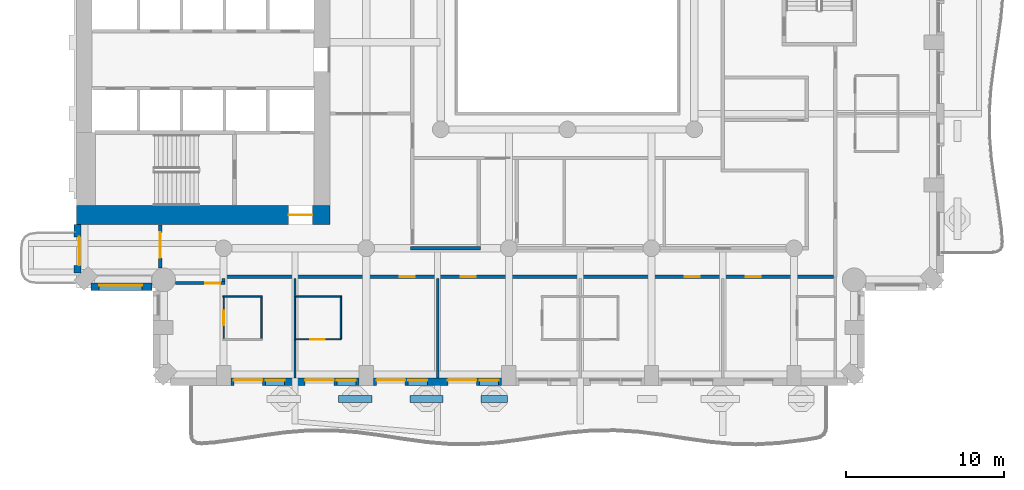
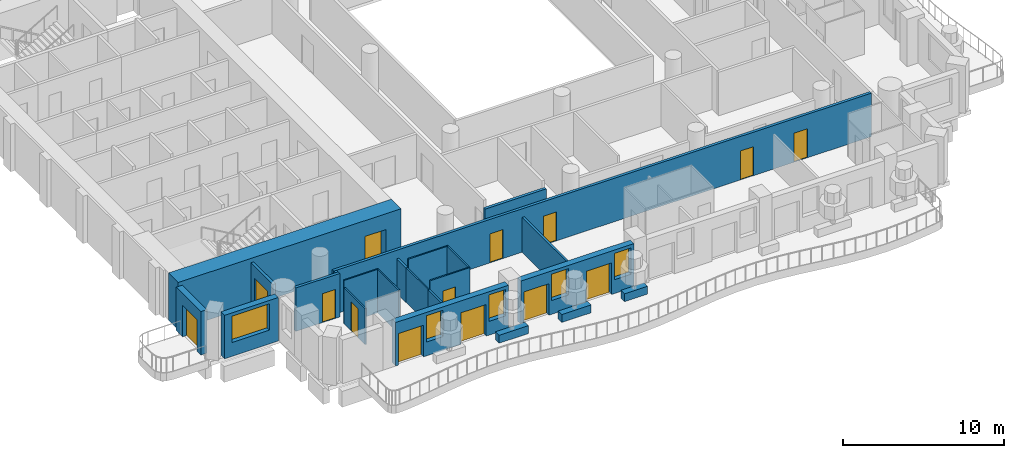
# One storey, part 3 of 20: 23 walls, 14 doors, 5 windows, 19 openings.
"""IFC4 building model written with IfcOpenShell, lengths in metres."""

from ifc_helpers import new_model, si_unit, direction, frame, frame_2d, origin, place, context, subcontext, project, spatial, rectangle, extrude, material, layer, layer_set, type_object, element, fill, save


model = new_model("IFC4")

# Units and contexts
model_context = context("Model", 3, precision=1e-05, world=origin(), true_north=direction((0.0, 1.0)))
body_context = subcontext(model_context, "Body", "Model", "MODEL_VIEW")
ifc_project = project(units=[si_unit("LENGTHUNIT", "METRE"), si_unit("AREAUNIT", "SQUARE_METRE"), si_unit("VOLUMEUNIT", "CUBIC_METRE"), si_unit("PLANEANGLEUNIT", "RADIAN"), si_unit("MASSUNIT", "GRAM", prefix="KILO")], contexts=[model_context])

# Site, building, storey
site_placement = place(None, origin())
site = spatial("IfcSite", under=ifc_project, at=site_placement, CompositionType="ELEMENT")
building_placement = place(site_placement, origin())
building = spatial("IfcBuilding", under=site, at=building_placement, Name="Cypress Arch Tower", CompositionType="ELEMENT")
storey_placement = place(building_placement, frame((0.0, 0.0, 120.300048828125)))
storey = spatial("IfcBuildingStorey", under=building, at=storey_placement, Name="L25", CompositionType="ELEMENT", Elevation=120.300048828125)

# Walls
ifc_material_1 = material(Name="Concrete C40/50, waterproofed", Category="concrete")
ifc_layer_1 = layer(ifc_material_1, 0.449951171875)
ifc_layer_set_1 = layer_set([ifc_layer_1], Name="Balcony planter wall PW450")
wall_type_1 = type_object("IfcWallType", Name="Balcony planter wall PW450", PredefinedType="SOLIDWALL", material=ifc_layer_set_1)
for number, where, z_axis, x_axis, name in (
    (1, (-13.449951171875, -27.0, 0.0), (0.0, 0.0, 1.0), (1.0, 0.0, 0.0), "Balcony planter wall L25-A03.2"),
    (2, (-8.949951171875, -27.0, 0.0), (0.0, 0.0, 1.0), (1.0, 0.0, 0.0), "Balcony planter wall L25-A03.3"),
):
    element("IfcWall", number, at=place(storey_placement, frame(where, z_axis=z_axis, x_axis=x_axis)), inside=storey, type_object=wall_type_1, Name=name, PredefinedType="SOLIDWALL", context=body_context, shape_type="SweptSolid", body=[
        extrude(rectangle(XDim=2.099853515625, YDim=0.449951171875, at=frame_2d((1.0498046875, 0.0))), origin(), (0.0, 0.0, 1.0), 0.599853515625),
    ])
wall_1_placement = place(storey_placement, frame((-4.449951171875, -27.0, 0.0), z_axis=(0.0, 0.0, 1.0), x_axis=(1.0, 0.0, 0.0)))
element("IfcWall", 3, at=wall_1_placement, inside=storey, type_object=wall_type_1, Name="Balcony planter wall L25-A03.4", PredefinedType="SOLIDWALL", context=body_context, shape_type="SweptSolid", body=[
    extrude(rectangle(XDim=1.64990234375, YDim=0.449951171875, at=frame_2d((0.824951171875, 0.0))), origin(), (0.0, 0.0, 1.0), 0.599853515625),
])

# Wall, opening, door
ifc_material_2 = material(Name="Brick (red buff blend)", Category="masonry")
ifc_layer_2 = layer(ifc_material_2, 0.449951171875)
ifc_layer_set_2 = layer_set([ifc_layer_2], Name="Brick pier and spandrel wall BW450")
wall_type_2 = type_object("IfcWallType", Name="Brick pier and spandrel wall BW450", PredefinedType="SOLIDWALL", material=ifc_layer_set_2)
wall_2_placement = place(storey_placement, frame((-29.925048828125, -16.0, 0.0), z_axis=(0.0, 0.0, 1.0), x_axis=(0.0, -1.0, 0.0)))
wall_2 = element("IfcWall", 4, at=wall_2_placement, inside=storey, type_object=wall_type_2, Name="Brick wall L25 A00.0.1", PredefinedType="SOLIDWALL", context=body_context, shape_type="SweptSolid", body=[
    extrude(rectangle(XDim=3.063720703125, YDim=0.449951171875, at=frame_2d((1.53173828125, 0.0))), origin(), (0.0, 0.0, 1.0), 3.300048828125),
])
opening_1_placement = place(wall_2_placement, frame((0.78173828125, 0.0, 0.0)))
opening_1 = element("IfcOpeningElement", 5, at=opening_1_placement, cuts=wall_2, Name="Opening D-L25-A00.0.1.9", PredefinedType="OPENING", context=body_context, shape_type="SweptSolid", body=[
    extrude(rectangle(XDim=1.800048828125, YDim=2.39990234375, at=frame_2d((0.89990234375, 1.199951171875))), frame((0.0, 0.23486328125, 0.0), z_axis=(0.0, -1.0, 0.0), x_axis=(1.0, 0.0, 0.0)), (0.0, 0.0, 1.0), 0.469970703125),
])
ifc_material_3 = material(Name="Anodised aluminium, bronze finish, laminated low-emissivity double glazing, large-missile impact rated", Category="aluminium")
door_type_1 = type_object("IfcDoorType", Name="Balcony sliding door 1800x2400", OperationType="SLIDING_TO_LEFT", PredefinedType="DOOR", material=ifc_material_3)
door_1_placement = place(opening_1_placement, origin())
door_1 = element("IfcDoor", 6, at=door_1_placement, inside=storey, type_object=door_type_1, Name="Balcony door L25 A00.0.1.9", OperationType="SLIDING_TO_LEFT", OverallHeight=2.39990234375, OverallWidth=1.800048828125, PredefinedType="DOOR", context=body_context, shape_type="SweptSolid", body=[
    extrude(rectangle(XDim=1.800048828125, YDim=2.39990234375, at=frame_2d((0.89990234375, 1.199951171875))), frame((0.0, 0.1298828125, 0.0), z_axis=(0.0, -1.0, 0.0), x_axis=(1.0, 0.0, 0.0)), (0.0, 0.0, 1.0), 0.050048828125),
])
fill(opening_1, door_1)

# Wall, opening, window
wall_3_placement = place(storey_placement, frame((-29.063720703125, -19.925048828125, 0.0), z_axis=(0.0, 0.0, 1.0), x_axis=(1.0, 0.0, 0.0)))
wall_3 = element("IfcWall", 7, at=wall_3_placement, inside=storey, type_object=wall_type_2, Name="Brick wall L25 A01.0", PredefinedType="SOLIDWALL", context=body_context, shape_type="SweptSolid", body=[
    extrude(rectangle(XDim=3.856689453125, YDim=0.449951171875, at=frame_2d((1.92822265625, 0.0))), origin(), (0.0, 0.0, 1.0), 3.300048828125),
])
opening_2_placement = place(wall_3_placement, frame((0.513671875, 0.0, 1.050048828125)))
opening_2 = element("IfcOpeningElement", 8, at=opening_2_placement, cuts=wall_3, Name="Opening W270H", PredefinedType="OPENING", context=body_context, shape_type="SweptSolid", body=[
    extrude(rectangle(XDim=2.699951171875, YDim=2.0, at=frame_2d((1.35009765625, 1.0))), frame((0.0, 0.23486328125, 0.0), z_axis=(0.0, -1.0, 0.0), x_axis=(1.0, 0.0, 0.0)), (0.0, 0.0, 1.0), 0.469970703125),
])
ifc_material_4 = material(Name="Anodised aluminium, bronze finish, clear low-emissivity double glazing", Category="aluminium")
window_type_1 = type_object("IfcWindowType", Name="Window Hotel 2700x2000", PartitioningType="SINGLE_PANEL", PredefinedType="WINDOW", material=ifc_material_4)
window_1_placement = place(opening_2_placement, origin())
window_1 = element("IfcWindow", 9, at=window_1_placement, inside=storey, type_object=window_type_1, Name="Window L25 A01.0.1", OverallHeight=2.0, OverallWidth=2.699951171875, PartitioningType="SINGLE_PANEL", PredefinedType="WINDOW", context=body_context, shape_type="SweptSolid", body=[
    extrude(rectangle(XDim=2.699951171875, YDim=2.0, at=frame_2d((1.35009765625, 1.0))), frame((0.0, 0.135009765625, 0.0), z_axis=(0.0, -1.0, 0.0), x_axis=(1.0, 0.0, 0.0)), (0.0, 0.0, 1.0), 0.06005859375),
])
fill(opening_2, window_1)

# Wall, openings, doors, windows
wall_4_placement = place(storey_placement, frame((-20.25, -25.925048828125, 0.0), z_axis=(0.0, 0.0, 1.0), x_axis=(1.0, 0.0, 0.0)))
wall_4 = element("IfcWall", 10, at=wall_4_placement, inside=storey, type_object=wall_type_2, Name="Brick wall L25 A03.1", PredefinedType="SOLIDWALL", context=body_context, shape_type="SweptSolid", body=[
    extrude(rectangle(XDim=8.10009765625, YDim=0.449951171875, at=frame_2d((4.050048828125, 0.0))), origin(), (0.0, 0.0, 1.0), 3.300048828125),
])
opening_3_placement = place(wall_4_placement, frame((0.199951171875, 0.0, 0.0)))
opening_3 = element("IfcOpeningElement", 11, at=opening_3_placement, cuts=wall_4, Name="Opening D-L25-A03.1.1", PredefinedType="OPENING", context=body_context, shape_type="SweptSolid", body=[
    extrude(rectangle(XDim=1.800048828125, YDim=2.39990234375, at=frame_2d((0.89990234375, 1.199951171875))), frame((0.0, 0.23486328125, 0.0), z_axis=(0.0, -1.0, 0.0), x_axis=(1.0, 0.0, 0.0)), (0.0, 0.0, 1.0), 0.469970703125),
])
opening_4_placement = place(wall_4_placement, frame((2.199951171875, 0.0, 1.050048828125)))
opening_4 = element("IfcOpeningElement", 12, at=opening_4_placement, cuts=wall_4, Name="Opening W120HD", PredefinedType="OPENING", context=body_context, shape_type="SweptSolid", body=[
    extrude(rectangle(XDim=1.199951171875, YDim=2.0, at=frame_2d((0.60009765625, 1.0))), frame((0.0, 0.23486328125, 0.0), z_axis=(0.0, -1.0, 0.0), x_axis=(1.0, 0.0, 0.0)), (0.0, 0.0, 1.0), 0.469970703125),
])
opening_5_placement = place(wall_4_placement, frame((4.699951171875, 0.0, 0.0)))
opening_5 = element("IfcOpeningElement", 13, at=opening_5_placement, cuts=wall_4, Name="Opening D-L25-A03.1.2", PredefinedType="OPENING", context=body_context, shape_type="SweptSolid", body=[
    extrude(rectangle(XDim=1.800048828125, YDim=2.39990234375, at=frame_2d((0.89990234375, 1.199951171875))), frame((0.0, 0.23486328125, 0.0), z_axis=(0.0, -1.0, 0.0), x_axis=(1.0, 0.0, 0.0)), (0.0, 0.0, 1.0), 0.469970703125),
])
opening_6_placement = place(wall_4_placement, frame((6.699951171875, 0.0, 1.050048828125)))
opening_6 = element("IfcOpeningElement", 14, at=opening_6_placement, cuts=wall_4, Name="Opening W120HD", PredefinedType="OPENING", context=body_context, shape_type="SweptSolid", body=[
    extrude(rectangle(XDim=1.199951171875, YDim=2.0, at=frame_2d((0.60009765625, 1.0))), frame((0.0, 0.23486328125, 0.0), z_axis=(0.0, -1.0, 0.0), x_axis=(1.0, 0.0, 0.0)), (0.0, 0.0, 1.0), 0.469970703125),
])
door_2_placement = place(opening_3_placement, origin())
door_2 = element("IfcDoor", 15, at=door_2_placement, inside=storey, type_object=door_type_1, Name="Balcony door L25 A03.1.1", OperationType="SLIDING_TO_LEFT", OverallHeight=2.39990234375, OverallWidth=1.800048828125, PredefinedType="DOOR", context=body_context, shape_type="SweptSolid", body=[
    extrude(rectangle(XDim=1.800048828125, YDim=2.39990234375, at=frame_2d((0.89990234375, 1.199951171875))), frame((0.0, 0.1298828125, 0.0), z_axis=(0.0, -1.0, 0.0), x_axis=(1.0, 0.0, 0.0)), (0.0, 0.0, 1.0), 0.050048828125),
])
fill(opening_3, door_2)
door_3_placement = place(opening_5_placement, origin())
door_3 = element("IfcDoor", 16, at=door_3_placement, inside=storey, type_object=door_type_1, Name="Balcony door L25 A03.1.2", OperationType="SLIDING_TO_LEFT", OverallHeight=2.39990234375, OverallWidth=1.800048828125, PredefinedType="DOOR", context=body_context, shape_type="SweptSolid", body=[
    extrude(rectangle(XDim=1.800048828125, YDim=2.39990234375, at=frame_2d((0.89990234375, 1.199951171875))), frame((0.0, 0.1298828125, 0.0), z_axis=(0.0, -1.0, 0.0), x_axis=(1.0, 0.0, 0.0)), (0.0, 0.0, 1.0), 0.050048828125),
])
fill(opening_5, door_3)
ifc_material_5 = material(Name="Anodised aluminium, bronze finish, laminated low-emissivity double glazing, large-missile impact rated", Category="aluminium")
window_type_2 = type_object("IfcWindowType", Name="Window Hotel 1200x2000 debris-rated", PartitioningType="SINGLE_PANEL", PredefinedType="WINDOW", material=ifc_material_5)
window_2_placement = place(opening_4_placement, origin())
window_2 = element("IfcWindow", 17, at=window_2_placement, inside=storey, type_object=window_type_2, Name="Window L25 A03.1.1", OverallHeight=2.0, OverallWidth=1.199951171875, PartitioningType="SINGLE_PANEL", PredefinedType="WINDOW", context=body_context, shape_type="SweptSolid", body=[
    extrude(rectangle(XDim=1.199951171875, YDim=2.0, at=frame_2d((0.60009765625, 1.0))), frame((0.0, 0.135009765625, 0.0), z_axis=(0.0, -1.0, 0.0), x_axis=(1.0, 0.0, 0.0)), (0.0, 0.0, 1.0), 0.06005859375),
])
fill(opening_4, window_2)
window_3_placement = place(opening_6_placement, origin())
window_3 = element("IfcWindow", 18, at=window_3_placement, inside=storey, type_object=window_type_2, Name="Window L25 A03.1.2", OverallHeight=2.0, OverallWidth=1.199951171875, PartitioningType="SINGLE_PANEL", PredefinedType="WINDOW", context=body_context, shape_type="SweptSolid", body=[
    extrude(rectangle(XDim=1.199951171875, YDim=2.0, at=frame_2d((0.60009765625, 1.0))), frame((0.0, 0.135009765625, 0.0), z_axis=(0.0, -1.0, 0.0), x_axis=(1.0, 0.0, 0.0)), (0.0, 0.0, 1.0), 0.06005859375),
])
fill(opening_6, window_3)

wall_5_placement = place(storey_placement, frame((-11.25, -25.925048828125, 0.0), z_axis=(0.0, 0.0, 1.0), x_axis=(1.0, 0.0, 0.0)))
wall_5 = element("IfcWall", 19, at=wall_5_placement, inside=storey, type_object=wall_type_2, Name="Brick wall L25 A03.2", PredefinedType="SOLIDWALL", context=body_context, shape_type="SweptSolid", body=[
    extrude(rectangle(XDim=8.10009765625, YDim=0.449951171875, at=frame_2d((4.050048828125, 0.0))), origin(), (0.0, 0.0, 1.0), 3.300048828125),
])
opening_7_placement = place(wall_5_placement, frame((0.199951171875, 0.0, 0.0)))
opening_7 = element("IfcOpeningElement", 20, at=opening_7_placement, cuts=wall_5, Name="Opening D-L25-A03.2.1", PredefinedType="OPENING", context=body_context, shape_type="SweptSolid", body=[
    extrude(rectangle(XDim=1.800048828125, YDim=2.39990234375, at=frame_2d((0.89990234375, 1.199951171875))), frame((0.0, 0.23486328125, 0.0), z_axis=(0.0, -1.0, 0.0), x_axis=(1.0, 0.0, 0.0)), (0.0, 0.0, 1.0), 0.469970703125),
])
opening_8_placement = place(wall_5_placement, frame((2.199951171875, 0.0, 1.050048828125)))
opening_8 = element("IfcOpeningElement", 21, at=opening_8_placement, cuts=wall_5, Name="Opening W120HD", PredefinedType="OPENING", context=body_context, shape_type="SweptSolid", body=[
    extrude(rectangle(XDim=1.199951171875, YDim=2.0, at=frame_2d((0.60009765625, 1.0))), frame((0.0, 0.23486328125, 0.0), z_axis=(0.0, -1.0, 0.0), x_axis=(1.0, 0.0, 0.0)), (0.0, 0.0, 1.0), 0.469970703125),
])
opening_9_placement = place(wall_5_placement, frame((4.699951171875, 0.0, 0.0)))
opening_9 = element("IfcOpeningElement", 22, at=opening_9_placement, cuts=wall_5, Name="Opening D-L25-A03.2.2", PredefinedType="OPENING", context=body_context, shape_type="SweptSolid", body=[
    extrude(rectangle(XDim=1.800048828125, YDim=2.39990234375, at=frame_2d((0.89990234375, 1.199951171875))), frame((0.0, 0.23486328125, 0.0), z_axis=(0.0, -1.0, 0.0), x_axis=(1.0, 0.0, 0.0)), (0.0, 0.0, 1.0), 0.469970703125),
])
opening_10_placement = place(wall_5_placement, frame((6.699951171875, 0.0, 1.050048828125)))
opening_10 = element("IfcOpeningElement", 23, at=opening_10_placement, cuts=wall_5, Name="Opening W120HD", PredefinedType="OPENING", context=body_context, shape_type="SweptSolid", body=[
    extrude(rectangle(XDim=1.199951171875, YDim=2.0, at=frame_2d((0.60009765625, 1.0))), frame((0.0, 0.23486328125, 0.0), z_axis=(0.0, -1.0, 0.0), x_axis=(1.0, 0.0, 0.0)), (0.0, 0.0, 1.0), 0.469970703125),
])
door_4_placement = place(opening_7_placement, origin())
door_4 = element("IfcDoor", 24, at=door_4_placement, inside=storey, type_object=door_type_1, Name="Balcony door L25 A03.2.1", OperationType="SLIDING_TO_LEFT", OverallHeight=2.39990234375, OverallWidth=1.800048828125, PredefinedType="DOOR", context=body_context, shape_type="SweptSolid", body=[
    extrude(rectangle(XDim=1.800048828125, YDim=2.39990234375, at=frame_2d((0.89990234375, 1.199951171875))), frame((0.0, 0.1298828125, 0.0), z_axis=(0.0, -1.0, 0.0), x_axis=(1.0, 0.0, 0.0)), (0.0, 0.0, 1.0), 0.050048828125),
])
fill(opening_7, door_4)
door_5_placement = place(opening_9_placement, origin())
door_5 = element("IfcDoor", 25, at=door_5_placement, inside=storey, type_object=door_type_1, Name="Balcony door L25 A03.2.2", OperationType="SLIDING_TO_LEFT", OverallHeight=2.39990234375, OverallWidth=1.800048828125, PredefinedType="DOOR", context=body_context, shape_type="SweptSolid", body=[
    extrude(rectangle(XDim=1.800048828125, YDim=2.39990234375, at=frame_2d((0.89990234375, 1.199951171875))), frame((0.0, 0.1298828125, 0.0), z_axis=(0.0, -1.0, 0.0), x_axis=(1.0, 0.0, 0.0)), (0.0, 0.0, 1.0), 0.050048828125),
])
fill(opening_9, door_5)
window_4_placement = place(opening_8_placement, origin())
window_4 = element("IfcWindow", 26, at=window_4_placement, inside=storey, type_object=window_type_2, Name="Window L25 A03.2.1", OverallHeight=2.0, OverallWidth=1.199951171875, PartitioningType="SINGLE_PANEL", PredefinedType="WINDOW", context=body_context, shape_type="SweptSolid", body=[
    extrude(rectangle(XDim=1.199951171875, YDim=2.0, at=frame_2d((0.60009765625, 1.0))), frame((0.0, 0.135009765625, 0.0), z_axis=(0.0, -1.0, 0.0), x_axis=(1.0, 0.0, 0.0)), (0.0, 0.0, 1.0), 0.06005859375),
])
fill(opening_8, window_4)
window_5_placement = place(opening_10_placement, origin())
window_5 = element("IfcWindow", 27, at=window_5_placement, inside=storey, type_object=window_type_2, Name="Window L25 A03.2.2", OverallHeight=2.0, OverallWidth=1.199951171875, PartitioningType="SINGLE_PANEL", PredefinedType="WINDOW", context=body_context, shape_type="SweptSolid", body=[
    extrude(rectangle(XDim=1.199951171875, YDim=2.0, at=frame_2d((0.60009765625, 1.0))), frame((0.0, 0.135009765625, 0.0), z_axis=(0.0, -1.0, 0.0), x_axis=(1.0, 0.0, 0.0)), (0.0, 0.0, 1.0), 0.06005859375),
])
fill(opening_10, window_5)

# Wall, opening, door
ifc_material_6 = material(Name="Concrete C80/95", Category="concrete")
ifc_layer_3 = layer(ifc_material_6, 1.199951171875)
ifc_layer_set_3 = layer_set([ifc_layer_3], Name="Core wall CW1200 C80/95")
wall_type_3 = type_object("IfcWallType", Name="Core wall CW1200 C80/95", PredefinedType="SHEAR", material=ifc_layer_set_3)
wall_6_placement = place(storey_placement, frame((-30.0, -15.39990234375, 0.0), z_axis=(0.0, 0.0, 1.0), x_axis=(1.0, 0.0, 0.0)))
wall_6 = element("IfcWall", 28, at=wall_6_placement, inside=storey, type_object=wall_type_3, Name="Core wall", PredefinedType="SHEAR", context=body_context, shape_type="SweptSolid", body=[
    extrude(rectangle(XDim=16.0, YDim=1.199951171875, at=frame_2d((8.0, 0.0))), origin(), (0.0, 0.0, 1.0), 3.599853515625),
])
opening_11_placement = place(wall_6_placement, frame((13.39990234375, 0.0, 0.0)))
opening_11 = element("IfcOpeningElement", 29, at=opening_11_placement, cuts=wall_6, Name="Opening D07", PredefinedType="OPENING", context=body_context, shape_type="SweptSolid", body=[
    extrude(rectangle(XDim=1.5, YDim=2.39990234375, at=frame_2d((0.75, 1.199951171875))), frame((0.0, 0.60986328125, 0.0), z_axis=(0.0, -1.0, 0.0), x_axis=(1.0, 0.0, 0.0)), (0.0, 0.0, 1.0), 1.219970703125),
])
ifc_material_7 = material(Name="Steel framed glazed door, fire resisting", Category="steel")
door_type_2 = type_object("IfcDoorType", Name="Lobby door D07 1500x2400", OperationType="DOUBLE_DOOR_SINGLE_SWING", PredefinedType="DOOR", material=ifc_material_7)
door_6_placement = place(opening_11_placement, origin())
door_6 = element("IfcDoor", 30, at=door_6_placement, inside=storey, type_object=door_type_2, Name="Lobby door", OperationType="DOUBLE_DOOR_SINGLE_SWING", OverallHeight=2.39990234375, OverallWidth=1.5, PredefinedType="DOOR", context=body_context, shape_type="SweptSolid", body=[
    extrude(rectangle(XDim=1.5, YDim=2.39990234375, at=frame_2d((0.75, 1.199951171875))), frame((0.0, 0.02490234375, 0.0), z_axis=(0.0, -1.0, 0.0), x_axis=(1.0, 0.0, 0.0)), (0.0, 0.0, 1.0), 0.050048828125),
])
fill(opening_11, door_6)

ifc_material_8 = material(Name="Concrete blockwork, plastered, rated", Category="masonry")
ifc_layer_4 = layer(ifc_material_8, 0.199951171875)
ifc_layer_set_4 = layer_set([ifc_layer_4], Name="Corridor wall FW200")
wall_type_4 = type_object("IfcWallType", Name="Corridor wall FW200", PredefinedType="PARTITIONING", material=ifc_layer_set_4)
wall_7_placement = place(storey_placement, frame((-24.699951171875, -18.752197265625, 0.0), z_axis=(0.0, 0.0, 1.0), x_axis=(0.0, 1.0, 0.0)))
wall_7 = element("IfcWall", 31, at=wall_7_placement, inside=storey, type_object=wall_type_4, Name="Corridor wall", PredefinedType="PARTITIONING", context=body_context, shape_type="SweptSolid", body=[
    extrude(rectangle(XDim=2.72216796875, YDim=0.199951171875, at=frame_2d((1.361083984375, 0.0))), origin(), (0.0, 0.0, 1.0), 3.300048828125),
])
opening_12_placement = place(wall_7_placement, frame((0.64990234375, 0.0, 0.0)))
opening_12 = element("IfcOpeningElement", 32, at=opening_12_placement, cuts=wall_7, Name="Opening D10", PredefinedType="OPENING", context=body_context, shape_type="SweptSolid", body=[
    extrude(rectangle(XDim=1.60009765625, YDim=2.39990234375, at=frame_2d((0.800048828125, 1.199951171875))), frame((0.0, 0.10986328125, 0.0), z_axis=(0.0, -1.0, 0.0), x_axis=(1.0, 0.0, 0.0)), (0.0, 0.0, 1.0), 0.219970703125),
])
ifc_material_9 = material(Name="Black aluminium glazed door", Category="aluminium")
door_type_3 = type_object("IfcDoorType", Name="Amenity door D10 1600x2400", OperationType="DOUBLE_DOOR_SINGLE_SWING", PredefinedType="DOOR", material=ifc_material_9)
door_7_placement = place(opening_12_placement, origin())
door_7 = element("IfcDoor", 33, at=door_7_placement, inside=storey, type_object=door_type_3, Name="Amenity door", OperationType="DOUBLE_DOOR_SINGLE_SWING", OverallHeight=2.39990234375, OverallWidth=1.60009765625, PredefinedType="DOOR", context=body_context, shape_type="SweptSolid", body=[
    extrude(rectangle(XDim=1.60009765625, YDim=2.39990234375, at=frame_2d((0.800048828125, 1.199951171875))), frame((0.0, 0.02490234375, 0.0), z_axis=(0.0, -1.0, 0.0), x_axis=(1.0, 0.0, 0.0)), (0.0, 0.0, 1.0), 0.050048828125),
])
fill(opening_12, door_7)

wall_8_placement = place(storey_placement, frame((-23.752197265625, -19.699951171875, 0.0), z_axis=(0.0, 0.0, 1.0), x_axis=(1.0, 0.0, 0.0)))
wall_8 = element("IfcWall", 34, at=wall_8_placement, inside=storey, type_object=wall_type_4, Name="Corridor wall", PredefinedType="PARTITIONING", context=body_context, shape_type="SweptSolid", body=[
    extrude(rectangle(XDim=3.152099609375, YDim=0.199951171875, at=frame_2d((1.576171875, 0.0))), origin(), (0.0, 0.0, 1.0), 3.300048828125),
])
opening_13_placement = place(wall_8_placement, frame((1.89990234375, 0.0, 0.0)))
opening_13 = element("IfcOpeningElement", 35, at=opening_13_placement, cuts=wall_8, Name="Opening D02", PredefinedType="OPENING", context=body_context, shape_type="SweptSolid", body=[
    extrude(rectangle(XDim=0.949951171875, YDim=2.199951171875, at=frame_2d((0.47509765625, 1.10009765625))), frame((0.0, 0.10986328125, 0.0), z_axis=(0.0, -1.0, 0.0), x_axis=(1.0, 0.0, 0.0)), (0.0, 0.0, 1.0), 0.219970703125),
])
ifc_material_10 = material(Name="Timber flush door, fire resisting", Category="wood")
door_type_4 = type_object("IfcDoorType", Name="Room door D02 950x2200", OperationType="SINGLE_SWING_LEFT", PredefinedType="DOOR", material=ifc_material_10)
door_8_placement = place(opening_13_placement, origin())
door_8 = element("IfcDoor", 36, at=door_8_placement, inside=storey, type_object=door_type_4, Name="Room door", OperationType="SINGLE_SWING_RIGHT", OverallHeight=2.199951171875, OverallWidth=0.949951171875, PredefinedType="DOOR", context=body_context, shape_type="SweptSolid", body=[
    extrude(rectangle(XDim=0.949951171875, YDim=2.199951171875, at=frame_2d((0.47509765625, 1.10009765625))), frame((0.0, 0.02490234375, 0.0), z_axis=(0.0, -1.0, 0.0), x_axis=(1.0, 0.0, 0.0)), (0.0, 0.0, 1.0), 0.050048828125),
])
fill(opening_13, door_8)

# Wall
wall_9_placement = place(storey_placement, frame((-20.699951171875, -19.60009765625, 0.0), z_axis=(0.0, 0.0, 1.0), x_axis=(0.0, 1.0, 0.0)))
element("IfcWall", 37, at=wall_9_placement, inside=storey, type_object=wall_type_4, Name="Corridor wall", PredefinedType="PARTITIONING", context=body_context, shape_type="SweptSolid", body=[
    extrude(rectangle(XDim=0.2001953125, YDim=0.199951171875, at=frame_2d((0.10009765625, 0.0))), origin(), (0.0, 0.0, 1.0), 3.300048828125),
])

# Wall, openings, doors
wall_10_placement = place(storey_placement, frame((-20.800048828125, -19.300048828125, 0.0), z_axis=(0.0, 0.0, 1.0), x_axis=(1.0, 0.0, 0.0)))
wall_10 = element("IfcWall", 38, at=wall_10_placement, inside=storey, type_object=wall_type_4, Name="Corridor wall", PredefinedType="PARTITIONING", context=body_context, shape_type="SweptSolid", body=[
    extrude(rectangle(XDim=38.60009765625, YDim=0.199951171875, at=frame_2d((19.300048828125, 0.0))), origin(), (0.0, 0.0, 1.0), 3.300048828125),
])
opening_14_placement = place(wall_10_placement, frame((11.199951171875, 0.0, 0.0)))
opening_14 = element("IfcOpeningElement", 39, at=opening_14_placement, cuts=wall_10, Name="Opening D02", PredefinedType="OPENING", context=body_context, shape_type="SweptSolid", body=[
    extrude(rectangle(XDim=0.949951171875, YDim=2.199951171875, at=frame_2d((0.47509765625, 1.10009765625))), frame((0.0, 0.10986328125, 0.0), z_axis=(0.0, -1.0, 0.0), x_axis=(1.0, 0.0, 0.0)), (0.0, 0.0, 1.0), 0.219970703125),
])
opening_15_placement = place(wall_10_placement, frame((15.050048828125, 0.0, 0.0)))
opening_15 = element("IfcOpeningElement", 40, at=opening_15_placement, cuts=wall_10, Name="Opening D02", PredefinedType="OPENING", context=body_context, shape_type="SweptSolid", body=[
    extrude(rectangle(XDim=0.949951171875, YDim=2.199951171875, at=frame_2d((0.47509765625, 1.10009765625))), frame((0.0, 0.10986328125, 0.0), z_axis=(0.0, -1.0, 0.0), x_axis=(1.0, 0.0, 0.0)), (0.0, 0.0, 1.0), 0.219970703125),
])
opening_16_placement = place(wall_10_placement, frame((29.199951171875, 0.0, 0.0)))
opening_16 = element("IfcOpeningElement", 41, at=opening_16_placement, cuts=wall_10, Name="Opening D02", PredefinedType="OPENING", context=body_context, shape_type="SweptSolid", body=[
    extrude(rectangle(XDim=0.949951171875, YDim=2.199951171875, at=frame_2d((0.47509765625, 1.10009765625))), frame((0.0, 0.10986328125, 0.0), z_axis=(0.0, -1.0, 0.0), x_axis=(1.0, 0.0, 0.0)), (0.0, 0.0, 1.0), 0.219970703125),
])
opening_17_placement = place(wall_10_placement, frame((33.050048828125, 0.0, 0.0)))
opening_17 = element("IfcOpeningElement", 42, at=opening_17_placement, cuts=wall_10, Name="Opening D02", PredefinedType="OPENING", context=body_context, shape_type="SweptSolid", body=[
    extrude(rectangle(XDim=0.949951171875, YDim=2.199951171875, at=frame_2d((0.47509765625, 1.10009765625))), frame((0.0, 0.10986328125, 0.0), z_axis=(0.0, -1.0, 0.0), x_axis=(1.0, 0.0, 0.0)), (0.0, 0.0, 1.0), 0.219970703125),
])
door_9_placement = place(opening_14_placement, origin())
door_9 = element("IfcDoor", 43, at=door_9_placement, inside=storey, type_object=door_type_4, Name="Room door", OperationType="SINGLE_SWING_LEFT", OverallHeight=2.199951171875, OverallWidth=0.949951171875, PredefinedType="DOOR", context=body_context, shape_type="SweptSolid", body=[
    extrude(rectangle(XDim=0.949951171875, YDim=2.199951171875, at=frame_2d((0.47509765625, 1.10009765625))), frame((0.0, 0.02490234375, 0.0), z_axis=(0.0, -1.0, 0.0), x_axis=(1.0, 0.0, 0.0)), (0.0, 0.0, 1.0), 0.050048828125),
])
fill(opening_14, door_9)
door_10_placement = place(opening_15_placement, origin())
door_10 = element("IfcDoor", 44, at=door_10_placement, inside=storey, type_object=door_type_4, Name="Room door", OperationType="SINGLE_SWING_RIGHT", OverallHeight=2.199951171875, OverallWidth=0.949951171875, PredefinedType="DOOR", context=body_context, shape_type="SweptSolid", body=[
    extrude(rectangle(XDim=0.949951171875, YDim=2.199951171875, at=frame_2d((0.47509765625, 1.10009765625))), frame((0.0, 0.02490234375, 0.0), z_axis=(0.0, -1.0, 0.0), x_axis=(1.0, 0.0, 0.0)), (0.0, 0.0, 1.0), 0.050048828125),
])
fill(opening_15, door_10)
door_11_placement = place(opening_16_placement, origin())
door_11 = element("IfcDoor", 45, at=door_11_placement, inside=storey, type_object=door_type_4, Name="Room door", OperationType="SINGLE_SWING_LEFT", OverallHeight=2.199951171875, OverallWidth=0.949951171875, PredefinedType="DOOR", context=body_context, shape_type="SweptSolid", body=[
    extrude(rectangle(XDim=0.949951171875, YDim=2.199951171875, at=frame_2d((0.47509765625, 1.10009765625))), frame((0.0, 0.02490234375, 0.0), z_axis=(0.0, -1.0, 0.0), x_axis=(1.0, 0.0, 0.0)), (0.0, 0.0, 1.0), 0.050048828125),
])
fill(opening_16, door_11)
door_12_placement = place(opening_17_placement, origin())
door_12 = element("IfcDoor", 46, at=door_12_placement, inside=storey, type_object=door_type_4, Name="Room door", OperationType="SINGLE_SWING_RIGHT", OverallHeight=2.199951171875, OverallWidth=0.949951171875, PredefinedType="DOOR", context=body_context, shape_type="SweptSolid", body=[
    extrude(rectangle(XDim=0.949951171875, YDim=2.199951171875, at=frame_2d((0.47509765625, 1.10009765625))), frame((0.0, 0.02490234375, 0.0), z_axis=(0.0, -1.0, 0.0), x_axis=(1.0, 0.0, 0.0)), (0.0, 0.0, 1.0), 0.050048828125),
])
fill(opening_17, door_12)

# Walls
wall_11_placement = place(storey_placement, frame((-8.89990234375, -17.5, 0.0), z_axis=(0.0, 0.0, 1.0), x_axis=(1.0, 0.0, 0.0)))
element("IfcWall", 47, at=wall_11_placement, inside=storey, type_object=wall_type_4, Name="Corridor wall", PredefinedType="PARTITIONING", context=body_context, shape_type="SweptSolid", body=[
    extrude(rectangle(XDim=4.39990234375, YDim=0.199951171875, at=frame_2d((2.199951171875, 0.0))), origin(), (0.0, 0.0, 1.0), 2.75),
])
ifc_material_11 = material(Name="Blockwork, plastered both sides", Category="masonry")
ifc_layer_5 = layer(ifc_material_11, 0.14990234375)
ifc_layer_set_5 = layer_set([ifc_layer_5], Name="Partition PW150")
wall_type_5 = type_object("IfcWallType", Name="Partition PW150", PredefinedType="PARTITIONING", material=ifc_layer_set_5)
wall_12_placement = place(storey_placement, frame((-16.199951171875, -25.699951171875, 0.0), z_axis=(0.0, 0.0, 1.0), x_axis=(0.0, 1.0, 0.0)))
element("IfcWall", 48, at=wall_12_placement, inside=storey, type_object=wall_type_5, Name="Partition", PredefinedType="PARTITIONING", context=body_context, shape_type="SweptSolid", body=[
    extrude(rectangle(XDim=2.429931640625, YDim=0.14990234375, at=frame_2d((1.21484375, 0.0))), origin(), (0.0, 0.0, 1.0), 2.64990234375),
])
wall_13_placement = place(storey_placement, frame((-16.199951171875, -20.530029296875, 0.0), z_axis=(0.0, 0.0, 1.0), x_axis=(0.0, 1.0, 0.0)))
element("IfcWall", 49, at=wall_13_placement, inside=storey, type_object=wall_type_5, Name="Partition", PredefinedType="PARTITIONING", context=body_context, shape_type="SweptSolid", body=[
    extrude(rectangle(XDim=1.130126953125, YDim=0.14990234375, at=frame_2d((0.56494140625, 0.0))), origin(), (0.0, 0.0, 1.0), 2.64990234375),
])
wall_14_placement = place(storey_placement, frame((-7.199951171875, -25.699951171875, 0.0), z_axis=(0.0, 0.0, 1.0), x_axis=(0.0, 1.0, 0.0)))
element("IfcWall", 50, at=wall_14_placement, inside=storey, type_object=wall_type_5, Name="Partition", PredefinedType="PARTITIONING", context=body_context, shape_type="SweptSolid", body=[
    extrude(rectangle(XDim=6.300048828125, YDim=0.14990234375, at=frame_2d((3.14990234375, 0.0))), origin(), (0.0, 0.0, 1.0), 2.64990234375),
])

# Wall, opening, door
ifc_material_12 = material(Name="Moisture resistant board on steel studs, tiled", Category="steel")
ifc_layer_6 = layer(ifc_material_12, 0.10009765625)
ifc_layer_set_6 = layer_set([ifc_layer_6], Name="Wet wall PW100")
wall_type_6 = type_object("IfcWallType", Name="Wet wall PW100", PredefinedType="PARTITIONING", material=ifc_layer_set_6)
wall_15_placement = place(storey_placement, frame((-20.699951171875, -23.199951171875, 0.0), z_axis=(0.0, 0.0, 1.0), x_axis=(0.0, 1.0, 0.0)))
wall_15 = element("IfcWall", 51, at=wall_15_placement, inside=storey, type_object=wall_type_6, Name="Wet wall", PredefinedType="PARTITIONING", context=body_context, shape_type="SweptSolid", body=[
    extrude(rectangle(XDim=2.599853515625, YDim=0.10009765625, at=frame_2d((1.2998046875, 0.0))), origin(), (0.0, 0.0, 1.0), 2.75),
])
opening_18_placement = place(wall_15_placement, frame((0.85009765625, 0.0, 0.0)))
opening_18 = element("IfcOpeningElement", 52, at=opening_18_placement, cuts=wall_15, Name="Opening D03", PredefinedType="OPENING", context=body_context, shape_type="SweptSolid", body=[
    extrude(rectangle(XDim=0.89990234375, YDim=2.199951171875, at=frame_2d((0.449951171875, 1.10009765625))), frame((0.0, 0.06005859375, 0.0), z_axis=(0.0, -1.0, 0.0), x_axis=(1.0, 0.0, 0.0)), (0.0, 0.0, 1.0), 0.1201171875),
])
ifc_material_13 = material(Name="Timber flush door, moisture resistant", Category="wood")
door_type_5 = type_object("IfcDoorType", Name="Bathroom door D03 900x2200", OperationType="SINGLE_SWING_LEFT", PredefinedType="DOOR", material=ifc_material_13)
door_13_placement = place(opening_18_placement, origin())
door_13 = element("IfcDoor", 53, at=door_13_placement, inside=storey, type_object=door_type_5, Name="Bathroom door", OperationType="SINGLE_SWING_LEFT", OverallHeight=2.199951171875, OverallWidth=0.89990234375, PredefinedType="DOOR", context=body_context, shape_type="SweptSolid", body=[
    extrude(rectangle(XDim=0.89990234375, YDim=2.199951171875, at=frame_2d((0.449951171875, 1.10009765625))), frame((0.0, 0.02490234375, 0.0), z_axis=(0.0, -1.0, 0.0), x_axis=(1.0, 0.0, 0.0)), (0.0, 0.0, 1.0), 0.050048828125),
])
fill(opening_18, door_13)

# Walls
wall_16_placement = place(storey_placement, frame((-20.75, -20.550048828125, 0.0), z_axis=(0.0, 0.0, 1.0), x_axis=(1.0, 0.0, 0.0)))
element("IfcWall", 54, at=wall_16_placement, inside=storey, type_object=wall_type_6, Name="Wet wall", PredefinedType="PARTITIONING", context=body_context, shape_type="SweptSolid", body=[
    extrude(rectangle(XDim=2.5, YDim=0.10009765625, at=frame_2d((1.25, 0.0))), origin(), (0.0, 0.0, 1.0), 3.300048828125),
])
wall_17_placement = place(storey_placement, frame((-18.300048828125, -23.199951171875, 0.0), z_axis=(0.0, 0.0, 1.0), x_axis=(0.0, 1.0, 0.0)))
element("IfcWall", 55, at=wall_17_placement, inside=storey, type_object=wall_type_6, Name="Wet wall", PredefinedType="PARTITIONING", context=body_context, shape_type="SweptSolid", body=[
    extrude(rectangle(XDim=2.599853515625, YDim=0.10009765625, at=frame_2d((1.2998046875, 0.0))), origin(), (0.0, 0.0, 1.0), 3.300048828125),
])
wall_18_placement = place(storey_placement, frame((-16.199951171875, -23.27001953125, 0.0), z_axis=(0.0, 0.0, 1.0), x_axis=(0.0, 1.0, 0.0)))
element("IfcWall", 56, at=wall_18_placement, inside=storey, type_object=wall_type_6, Name="Wet wall", PredefinedType="PARTITIONING", context=body_context, shape_type="SweptSolid", body=[
    extrude(rectangle(XDim=2.739990234375, YDim=0.10009765625, at=frame_2d((1.3701171875, 0.0))), origin(), (0.0, 0.0, 1.0), 2.64990234375),
])

# Wall, opening, door
wall_19_placement = place(storey_placement, frame((-16.125, -23.25, 0.0), z_axis=(0.0, 0.0, 1.0), x_axis=(1.0, 0.0, 0.0)))
wall_19 = element("IfcWall", 57, at=wall_19_placement, inside=storey, type_object=wall_type_6, Name="Wet wall", PredefinedType="PARTITIONING", context=body_context, shape_type="SweptSolid", body=[
    extrude(rectangle(XDim=2.87109375, YDim=0.10009765625, at=frame_2d((1.435546875, 0.0))), origin(), (0.0, 0.0, 1.0), 3.300048828125),
])
opening_19_placement = place(wall_19_placement, frame((0.89990234375, 0.0, 0.0)))
opening_19 = element("IfcOpeningElement", 58, at=opening_19_placement, cuts=wall_19, Name="Opening D03", PredefinedType="OPENING", context=body_context, shape_type="SweptSolid", body=[
    extrude(rectangle(XDim=0.89990234375, YDim=2.199951171875, at=frame_2d((0.449951171875, 1.10009765625))), frame((0.0, 0.06005859375, 0.0), z_axis=(0.0, -1.0, 0.0), x_axis=(1.0, 0.0, 0.0)), (0.0, 0.0, 1.0), 0.1201171875),
])
door_14_placement = place(opening_19_placement, origin())
door_14 = element("IfcDoor", 59, at=door_14_placement, inside=storey, type_object=door_type_5, Name="Bathroom door", OperationType="SINGLE_SWING_LEFT", OverallHeight=2.199951171875, OverallWidth=0.89990234375, PredefinedType="DOOR", context=body_context, shape_type="SweptSolid", body=[
    extrude(rectangle(XDim=0.89990234375, YDim=2.199951171875, at=frame_2d((0.449951171875, 1.10009765625))), frame((0.0, 0.02490234375, 0.0), z_axis=(0.0, -1.0, 0.0), x_axis=(1.0, 0.0, 0.0)), (0.0, 0.0, 1.0), 0.050048828125),
])
fill(opening_19, door_14)

# Walls
wall_20_placement = place(storey_placement, frame((-16.125, -20.550048828125, 0.0), z_axis=(0.0, 0.0, 1.0), x_axis=(1.0, 0.0, 0.0)))
element("IfcWall", 60, at=wall_20_placement, inside=storey, type_object=wall_type_6, Name="Wet wall", PredefinedType="PARTITIONING", context=body_context, shape_type="SweptSolid", body=[
    extrude(rectangle(XDim=2.87109375, YDim=0.10009765625, at=frame_2d((1.435546875, 0.0))), origin(), (0.0, 0.0, 1.0), 3.300048828125),
])
wall_21_placement = place(storey_placement, frame((-13.303955078125, -23.199951171875, 0.0), z_axis=(0.0, 0.0, 1.0), x_axis=(0.0, 1.0, 0.0)))
element("IfcWall", 61, at=wall_21_placement, inside=storey, type_object=wall_type_6, Name="Wet wall", PredefinedType="PARTITIONING", context=body_context, shape_type="SweptSolid", body=[
    extrude(rectangle(XDim=2.599853515625, YDim=0.10009765625, at=frame_2d((1.2998046875, 0.0))), origin(), (0.0, 0.0, 1.0), 3.300048828125),
])

save(model, "model.ifc")
